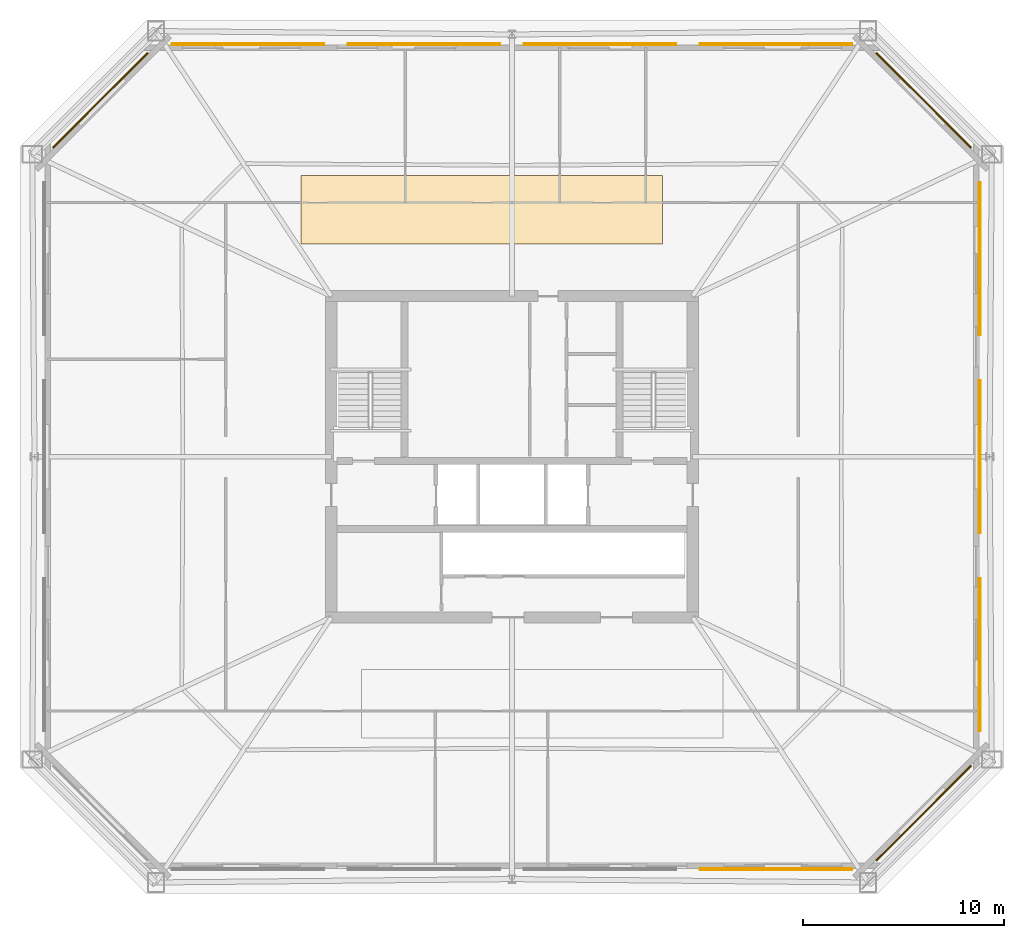
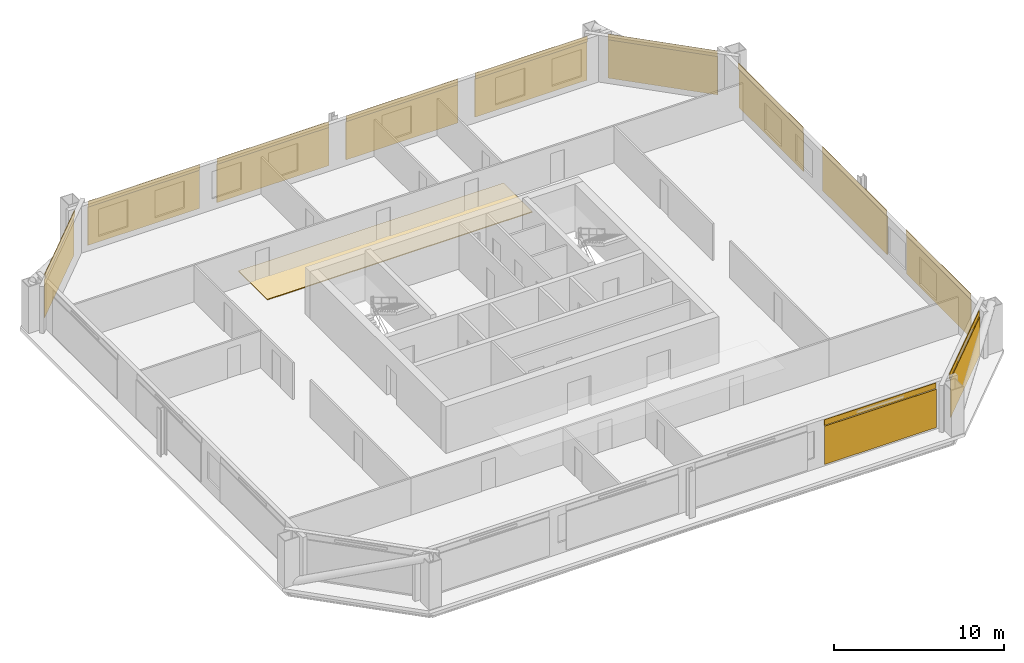
# One storey, part 6 of 6: 12 coverings, 11 shading devices.
"""IFC4 building model written with IfcOpenShell, lengths in metres."""

from ifc_helpers import new_model, si_unit, direction, frame, origin, origin_2d, place, context, subcontext, project, spatial, polyline, rectangle, outline, extrude, material, layer, layer_set, type_object, element, save


model = new_model("IFC4")

# Units and contexts
model_context = context("Model", 3, precision=1e-05, world=origin(), true_north=direction((0.0, 1.0)))
body_context = subcontext(model_context, "Body", "Model", "MODEL_VIEW")
ifc_project = project(units=[si_unit("LENGTHUNIT", "METRE"), si_unit("AREAUNIT", "SQUARE_METRE"), si_unit("VOLUMEUNIT", "CUBIC_METRE"), si_unit("PLANEANGLEUNIT", "RADIAN"), si_unit("MASSUNIT", "GRAM", prefix="KILO")], contexts=[model_context])

# Site, building, storey
site_placement = place(None, origin())
site = spatial("IfcSite", under=ifc_project, at=site_placement, CompositionType="ELEMENT")
building_placement = place(site_placement, origin())
building = spatial("IfcBuilding", under=site, at=building_placement, Name="Caelvoria Tower", CompositionType="ELEMENT")
storey_placement = place(building_placement, frame((0.0, 0.0, 152.800048828125)))
storey = spatial("IfcBuildingStorey", under=building, at=storey_placement, Name="L40", CompositionType="ELEMENT", Elevation=152.800048828125)

# Coverings
ifc_material_1 = material(Name="Perforated Architectural Bronze Cladding Screen", Category="bronze")
ifc_layer_1 = layer(ifc_material_1, 0.0400390625, Name="Perforated Architectural Bronze Cladding Screen")
ifc_layer_set_1 = layer_set([ifc_layer_1], Name="Perforated Bronze Louvre Cladding Band 40 - Perforated Architectural Bronze Cladding Screen")
covering_type_1 = type_object("IfcCoveringType", Name="Perforated Bronze Louvre Cladding Band 40", PredefinedType="CLADDING", material=ifc_layer_set_1)
covering_1_placement = place(storey_placement, frame((59.155029296875, 11.47802734375, 2.93994140625), z_axis=(0.0, 0.0, 1.0), x_axis=(1.0, 0.0, 0.0)))
element("IfcCovering", 1, at=covering_1_placement, inside=storey, type_object=covering_type_1, Name="Perforated Bronze Screen Band L40-E0-03", PredefinedType="CLADDING", context=body_context, shape_type="SweptSolid", body=[
    extrude(rectangle(XDim=7.60009765625, YDim=0.0400390625, at=origin_2d()), origin(), (0.0, 0.0, 1.0), 0.39990234375),
])
covering_2_placement = place(storey_placement, frame((66.481689453125, 14.268310546875, 2.93994140625), z_axis=(0.0, 0.0, 1.0), x_axis=(0.707106781187, 0.707106781187, 0.0)))
element("IfcCovering", 2, at=covering_2_placement, inside=storey, type_object=covering_type_1, Name="Perforated Bronze Screen Band L40-E1-00", PredefinedType="CLADDING", context=body_context, shape_type="SweptSolid", body=[
    extrude(rectangle(XDim=6.6787109375, YDim=0.0400390625, at=origin_2d()), origin(), (0.0, 0.0, 1.0), 0.39990234375),
])
for number, where, z_axis, x_axis, name in (
    (3, (69.27197265625, 22.139892578125, 2.93994140625), (0.0, 0.0, 1.0), (0.0, 1.0, 0.0), "Perforated Bronze Screen Band L40-E2-00"),
    (4, (69.27197265625, 32.0, 2.93994140625), (0.0, 0.0, 1.0), (0.0, 1.0, 0.0), "Perforated Bronze Screen Band L40-E2-01"),
    (5, (69.27197265625, 41.860107421875, 2.93994140625), (0.0, 0.0, 1.0), (0.0, 1.0, 0.0), "Perforated Bronze Screen Band L40-E2-02"),
):
    element("IfcCovering", number, at=place(storey_placement, frame(where, z_axis=z_axis, x_axis=x_axis)), inside=storey, type_object=covering_type_1, Name=name, PredefinedType="CLADDING", context=body_context, shape_type="SweptSolid", body=[
        extrude(rectangle(XDim=7.60009765625, YDim=0.0400390625, at=origin_2d()), origin(), (0.0, 0.0, 1.0), 0.39990234375),
    ])
covering_3_placement = place(storey_placement, frame((66.481689453125, 49.731689453125, 2.93994140625), z_axis=(0.0, 0.0, 1.0), x_axis=(-0.707106781187, 0.707106781187, 0.0)))
element("IfcCovering", 6, at=covering_3_placement, inside=storey, type_object=covering_type_1, Name="Perforated Bronze Screen Band L40-E3-00", PredefinedType="CLADDING", context=body_context, shape_type="SweptSolid", body=[
    extrude(rectangle(XDim=6.6787109375, YDim=0.0400390625, at=origin_2d()), origin(), (0.0, 0.0, 1.0), 0.39990234375),
])
for number, where, z_axis, x_axis, name in (
    (7, (59.155029296875, 52.52197265625, 2.93994140625), (0.0, 0.0, 1.0), (-1.0, 0.0, 0.0), "Perforated Bronze Screen Band L40-E4-00"),
    (8, (50.385009765625, 52.52197265625, 2.93994140625), (0.0, 0.0, 1.0), (-1.0, 0.0, 0.0), "Perforated Bronze Screen Band L40-E4-01"),
    (9, (41.614990234375, 52.52197265625, 2.93994140625), (0.0, 0.0, 1.0), (-1.0, 0.0, 0.0), "Perforated Bronze Screen Band L40-E4-02"),
    (10, (32.844970703125, 52.52197265625, 2.93994140625), (0.0, 0.0, 1.0), (-1.0, 0.0, 0.0), "Perforated Bronze Screen Band L40-E4-03"),
):
    element("IfcCovering", number, at=place(storey_placement, frame(where, z_axis=z_axis, x_axis=x_axis)), inside=storey, type_object=covering_type_1, Name=name, PredefinedType="CLADDING", context=body_context, shape_type="SweptSolid", body=[
        extrude(rectangle(XDim=7.60009765625, YDim=0.0400390625, at=origin_2d()), origin(), (0.0, 0.0, 1.0), 0.39990234375),
    ])
covering_4_placement = place(storey_placement, frame((25.518310546875, 49.731689453125, 2.93994140625), z_axis=(0.0, 0.0, 1.0), x_axis=(-0.707106781187, -0.707106781187, 0.0)))
element("IfcCovering", 11, at=covering_4_placement, inside=storey, type_object=covering_type_1, Name="Perforated Bronze Screen Band L40-E5-00", PredefinedType="CLADDING", context=body_context, shape_type="SweptSolid", body=[
    extrude(rectangle(XDim=6.6787109375, YDim=0.0400390625, at=origin_2d()), origin(), (0.0, 0.0, 1.0), 0.39990234375),
])

# Shading devices
ifc_material_2 = material(Name="Perforated Architectural Bronze Alloy Panel", Category="bronze")
ifc_layer_2 = layer(ifc_material_2, 0.044921875, Name="Perforated Architectural Bronze Alloy Panel")
ifc_layer_set_2 = layer_set([ifc_layer_2], Name="Perforated Bronze Solar Screen Panel SCREEN - Perforated Architectural Bronze Alloy Panel")
shading_device_type = type_object("IfcShadingDeviceType", Name="Perforated Bronze Solar Screen Panel SCREEN", PredefinedType="USERDEFINED", material=ifc_layer_set_2)
shading_device_1_placement = place(storey_placement, frame((59.155029296875, 11.43505859375, 0.159912109375), z_axis=(0.0, 0.0, 1.0), x_axis=(1.0, 0.0, 0.0)))
element("IfcShadingDevice", 12, at=shading_device_1_placement, inside=storey, type_object=shading_device_type, Name="Perforated Bronze Solar Screen L40-E0-03", ObjectType="SCREEN", PredefinedType="USERDEFINED", context=body_context, shape_type="SweptSolid", body=[
    extrude(rectangle(XDim=7.60009765625, YDim=0.044921875, at=origin_2d()), origin(), (0.0, 0.0, 1.0), 2.75),
])
shading_device_2_placement = place(storey_placement, frame((66.51220703125, 14.23779296875, 0.159912109375), z_axis=(0.0, 0.0, 1.0), x_axis=(0.707106781187, 0.707106781187, 0.0)))
element("IfcShadingDevice", 13, at=shading_device_2_placement, inside=storey, type_object=shading_device_type, Name="Perforated Bronze Solar Screen L40-E1-00", ObjectType="SCREEN", PredefinedType="USERDEFINED", context=body_context, shape_type="SweptSolid", body=[
    extrude(rectangle(XDim=6.6787109375, YDim=0.044921875, at=origin_2d()), origin(), (0.0, 0.0, 1.0), 2.75),
])
for number, where, z_axis, x_axis, name in (
    (14, (69.31494140625, 22.139892578125, 0.159912109375), (0.0, 0.0, 1.0), (0.0, 1.0, 0.0), "Perforated Bronze Solar Screen L40-E2-00"),
    (15, (69.31494140625, 32.0, 0.159912109375), (0.0, 0.0, 1.0), (0.0, 1.0, 0.0), "Perforated Bronze Solar Screen L40-E2-01"),
    (16, (69.31494140625, 41.860107421875, 0.159912109375), (0.0, 0.0, 1.0), (0.0, 1.0, 0.0), "Perforated Bronze Solar Screen L40-E2-02"),
):
    element("IfcShadingDevice", number, at=place(storey_placement, frame(where, z_axis=z_axis, x_axis=x_axis)), inside=storey, type_object=shading_device_type, Name=name, ObjectType="SCREEN", PredefinedType="USERDEFINED", context=body_context, shape_type="SweptSolid", body=[
        extrude(rectangle(XDim=7.60009765625, YDim=0.044921875, at=origin_2d()), origin(), (0.0, 0.0, 1.0), 2.75),
    ])
shading_device_3_placement = place(storey_placement, frame((66.51220703125, 49.76220703125, 0.159912109375), z_axis=(0.0, 0.0, 1.0), x_axis=(-0.707106781187, 0.707106781187, 0.0)))
element("IfcShadingDevice", 17, at=shading_device_3_placement, inside=storey, type_object=shading_device_type, Name="Perforated Bronze Solar Screen L40-E3-00", ObjectType="SCREEN", PredefinedType="USERDEFINED", context=body_context, shape_type="SweptSolid", body=[
    extrude(rectangle(XDim=6.6787109375, YDim=0.044921875, at=origin_2d()), origin(), (0.0, 0.0, 1.0), 2.75),
])
for number, where, z_axis, x_axis, name in (
    (18, (59.155029296875, 52.56494140625, 0.159912109375), (0.0, 0.0, 1.0), (-1.0, 0.0, 0.0), "Perforated Bronze Solar Screen L40-E4-00"),
    (19, (50.385009765625, 52.56494140625, 0.159912109375), (0.0, 0.0, 1.0), (-1.0, 0.0, 0.0), "Perforated Bronze Solar Screen L40-E4-01"),
    (20, (41.614990234375, 52.56494140625, 0.159912109375), (0.0, 0.0, 1.0), (-1.0, 0.0, 0.0), "Perforated Bronze Solar Screen L40-E4-02"),
    (21, (32.844970703125, 52.56494140625, 0.159912109375), (0.0, 0.0, 1.0), (-1.0, 0.0, 0.0), "Perforated Bronze Solar Screen L40-E4-03"),
):
    element("IfcShadingDevice", number, at=place(storey_placement, frame(where, z_axis=z_axis, x_axis=x_axis)), inside=storey, type_object=shading_device_type, Name=name, ObjectType="SCREEN", PredefinedType="USERDEFINED", context=body_context, shape_type="SweptSolid", body=[
        extrude(rectangle(XDim=7.60009765625, YDim=0.044921875, at=origin_2d()), origin(), (0.0, 0.0, 1.0), 2.75),
    ])
shading_device_4_placement = place(storey_placement, frame((25.48779296875, 49.76220703125, 0.159912109375), z_axis=(0.0, 0.0, 1.0), x_axis=(-0.707106781187, -0.707106781187, 0.0)))
element("IfcShadingDevice", 22, at=shading_device_4_placement, inside=storey, type_object=shading_device_type, Name="Perforated Bronze Solar Screen L40-E5-00", ObjectType="SCREEN", PredefinedType="USERDEFINED", context=body_context, shape_type="SweptSolid", body=[
    extrude(rectangle(XDim=6.6787109375, YDim=0.044921875, at=origin_2d()), origin(), (0.0, 0.0, 1.0), 2.75),
])

# Covering
ifc_material_3 = material(Name="Calcium-Sulphate Raised Floor Tile", Category="gypsum")
ifc_layer_3 = layer(ifc_material_3, 0.06005859375, Name="Calcium-Sulphate Raised Floor Tile")
ifc_layer_set_3 = layer_set([ifc_layer_3], Name="Raised Access Office Floor System 120 - Calcium-Sulphate Raised Floor Tile")
covering_type_2 = type_object("IfcCoveringType", Name="Raised Access Office Floor System 120", PredefinedType="FLOORING", material=ifc_layer_set_3)
covering_5_placement = place(storey_placement, origin())
element("IfcCovering", 23, at=covering_5_placement, inside=storey, type_object=covering_type_2, Name="Raised Access Flooring L40", PredefinedType="FLOORING", context=body_context, shape_type="SweptSolid", body=[
    extrude(outline(polyline([(35.5, 42.60009765625), (53.5, 42.60009765625), (53.5, 46.0), (35.5, 46.0), (35.5, 42.60009765625)])), origin(), (0.0, 0.0, 1.0), 0.06005859375),
])

save(model, "model.ifc")
